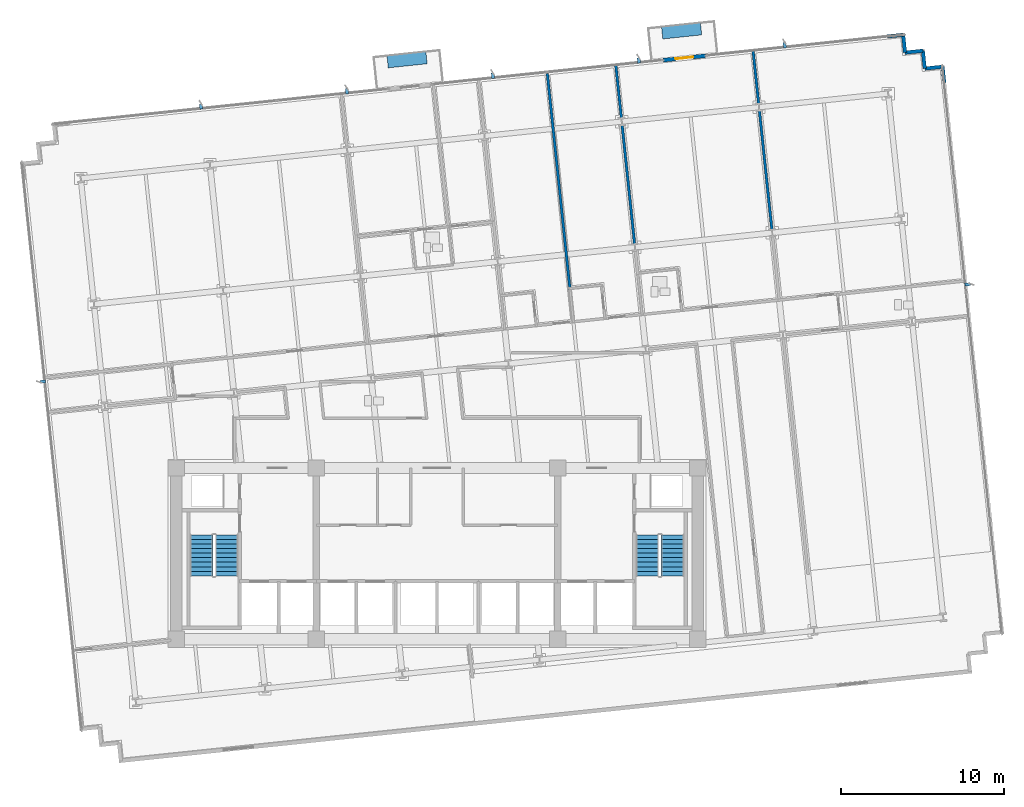
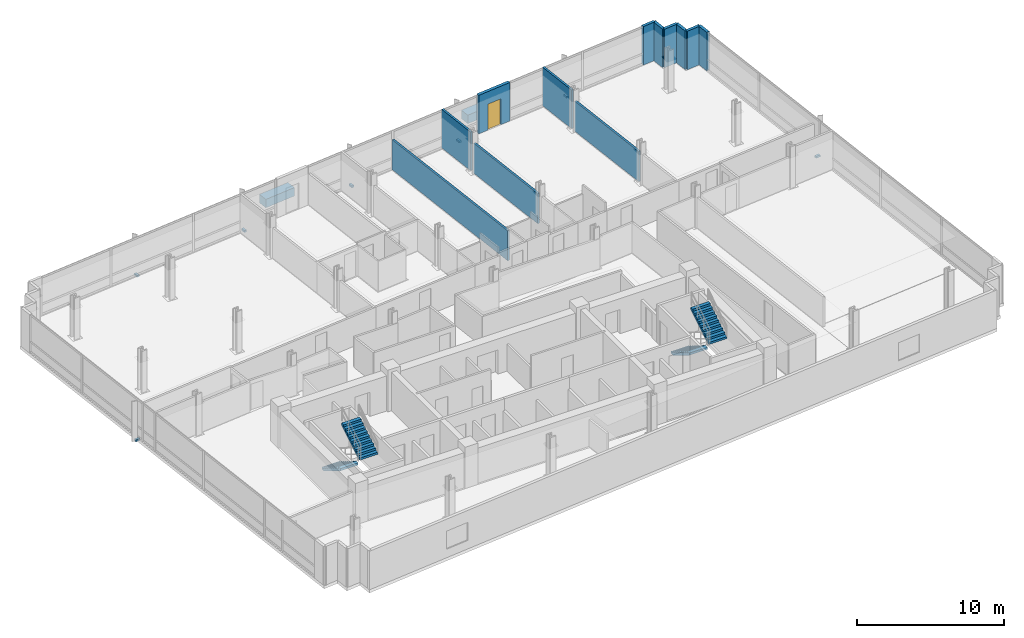
# One storey, part 13 of 17: 12 walls, 9 discrete accessories, 4 stair flights, 1 door, 1 opening, 2 elements without a shape of their own.
"""IFC4 building model written with IfcOpenShell, lengths in metres."""

import ifcopenshell
import ifcopenshell.guid

model = None  # the IFC model being written
_history = None  # IfcOwnerHistory: only IFC2X3 demands one
_inside = {}  # id of a spatial element -> (the spatial element, [elements in it])
_under = {}  # id of a project, library or spatial element -> (it, [spatial elements below it])
_declared = {}  # id of a project -> (the project, [libraries it declares])
_typed = {}  # id of a type object -> (the type object, [elements of that type])
_made_of = {}  # id of a material, layer set ... -> (it, [elements and type objects made of it])


def new_model(schema):
    """Start an empty IFC model of exactly this schema.

    Asked for "IFC4X3", IfcOpenShell would pick the latest addendum, in which some entities
    have other attributes; the version numbers below select the first issue.
    IFC2X3 requires an IfcOwnerHistory on every rooted entity: one is made here for all.
    """
    global model, _history
    if schema == "IFC4X3":
        model = ifcopenshell.file(schema_version=(4, 3, 0, 0))
    else:
        model = ifcopenshell.file(schema=schema)
    _inside.clear()
    _under.clear()
    _declared.clear()
    _typed.clear()
    _made_of.clear()
    _history = None
    if model.schema == "IFC2X3":
        org = make("IfcOrganization", Name="unknown")
        user = make(
            "IfcPersonAndOrganization",
            ThePerson=make("IfcPerson", FamilyName="unknown"),
            TheOrganization=org,
        )
        app = make(
            "IfcApplication",
            ApplicationDeveloper=org,
            Version="unknown",
            ApplicationFullName="unknown",
            ApplicationIdentifier="unknown",
        )
        _history = make(
            "IfcOwnerHistory",
            OwningUser=user,
            OwningApplication=app,
            ChangeAction="ADDED",
            CreationDate=0,
        )
    return model


def make(cls, **values):
    """One entity of the class cls with the attributes given. An attribute that is None is left unset."""
    return model.create_entity(
        cls, **{name: value for name, value in values.items() if value is not None}
    )


def rooted(cls, **values):
    """An entity with a GlobalId (a new one), such as an element, a storey or a relation."""
    return make(cls, GlobalId=ifcopenshell.guid.new(), OwnerHistory=_history, **values)


def si_unit(unit_type, name, prefix=None):
    """IfcSIUnit, for example si_unit("LENGTHUNIT", "METRE", prefix="MILLI")."""
    return make("IfcSIUnit", UnitType=unit_type, Prefix=prefix, Name=name)


def assignment(units):
    """IfcUnitAssignment: the units of a project."""
    return None if units is None else make("IfcUnitAssignment", Units=units)


def point(xyz):
    """IfcCartesianPoint."""
    return None if xyz is None else make("IfcCartesianPoint", Coordinates=xyz)


def direction(xyz):
    """IfcDirection."""
    return None if xyz is None else make("IfcDirection", DirectionRatios=xyz)


def frame(location, z_axis=None, x_axis=None):
    """IfcAxis2Placement3D, a coordinate frame: its origin and axes. An axis left out is left unset."""
    return make(
        "IfcAxis2Placement3D",
        Location=point(location),
        Axis=direction(z_axis),
        RefDirection=direction(x_axis),
    )


def frame_2d(location, x_axis=None):
    """IfcAxis2Placement2D, a coordinate frame in the plane: its origin and x axis."""
    return make(
        "IfcAxis2Placement2D", Location=point(location), RefDirection=direction(x_axis)
    )


def origin():
    """The frame at (0, 0, 0) with its axes left unset."""
    return frame((0.0, 0.0, 0.0))


def origin_2d():
    """The frame at (0, 0) in the plane with its x axis left unset."""
    return frame_2d((0.0, 0.0))


def place(relative_to, where):
    """IfcLocalPlacement: puts the frame where relative to a parent placement (None: the world)."""
    return make(
        "IfcLocalPlacement", PlacementRelTo=relative_to, RelativePlacement=where
    )


def context(
    kind, dimensions, precision=None, world=None, true_north=None, identifier=None
):
    """IfcGeometricRepresentationContext, for example the 3D "Model" context."""
    return make(
        "IfcGeometricRepresentationContext",
        ContextIdentifier=identifier,
        ContextType=kind,
        CoordinateSpaceDimension=dimensions,
        Precision=precision,
        WorldCoordinateSystem=world,
        TrueNorth=true_north,
    )


def subcontext(parent, identifier, kind, view, scale=None):
    """IfcGeometricRepresentationSubContext, for example "Body" below "Model"."""
    return make(
        "IfcGeometricRepresentationSubContext",
        ContextIdentifier=identifier,
        ContextType=kind,
        ParentContext=parent,
        TargetScale=scale,
        TargetView=view,
    )


def project(units=None, contexts=None):
    """IfcProject with its units and contexts."""
    return rooted(
        "IfcProject",
        Name="project",
        RepresentationContexts=contexts,
        UnitsInContext=assignment(units),
    )


def spatial(cls, under=None, at=None, **own):
    """A site, building, storey or space (cls), placed at a placement, below another one or the project."""
    s = rooted(cls, ObjectPlacement=at, **own)
    if under is not None:
        _under.setdefault(under.id(), (under, []))[1].append(s)
    return s


def polyline(points):
    """IfcPolyline through the points."""
    return make("IfcPolyline", Points=[point(p) for p in points])


def profile(cls, at=None, kind="AREA", **sizes):
    """A parametric profile (cls). Its sizes go by their IFC names, for example OverallWidth=200.0."""
    return make(cls, ProfileType=kind, Position=at, **sizes)


def rectangle(**sizes):
    """IfcRectangleProfileDef."""
    return profile("IfcRectangleProfileDef", **sizes)


def outline(outer, holes=None, kind="AREA"):
    """IfcArbitraryClosedProfileDef: a profile drawn as a closed curve; with holes, ...WithVoids."""
    if holes is None:
        return make("IfcArbitraryClosedProfileDef", ProfileType=kind, OuterCurve=outer)
    return make(
        "IfcArbitraryProfileDefWithVoids",
        ProfileType=kind,
        OuterCurve=outer,
        InnerCurves=holes,
    )


def extrude(swept, where, along, depth):
    """IfcExtrudedAreaSolid: the profile swept, set in the frame where, extruded along a direction by depth."""
    return make(
        "IfcExtrudedAreaSolid",
        SweptArea=swept,
        Position=where,
        ExtrudedDirection=direction(along),
        Depth=depth,
    )


def shape(context_of_items, identifier, shape_type, items):
    """IfcShapeRepresentation: the items that make up one representation, for example the "Body"."""
    return make(
        "IfcShapeRepresentation",
        ContextOfItems=context_of_items,
        RepresentationIdentifier=identifier,
        RepresentationType=shape_type,
        Items=items,
    )


def material(Name=None, Category=None):
    """IfcMaterial."""
    return make("IfcMaterial", Name=Name, Category=Category)


def layer(
    of_material, thickness, ventilated=None, Name=None, Category=None, Priority=None
):
    """IfcMaterialLayer: one layer of a wall or slab, of a material (None: an air gap)."""
    return make(
        "IfcMaterialLayer",
        Material=of_material,
        LayerThickness=thickness,
        IsVentilated=ventilated,
        Name=Name,
        Category=Category,
        Priority=Priority,
    )


def layer_set(layers, Name=None):
    """IfcMaterialLayerSet."""
    return make("IfcMaterialLayerSet", MaterialLayers=layers, LayerSetName=Name)


def made_of(thing, what):
    """Note that an element or type object is made of a material, layer set ...; save() writes the relation."""
    if what is not None:
        _made_of.setdefault(what.id(), (what, []))[1].append(thing)
    return thing


def type_object(cls, material=None, **own):
    """A type object (cls), such as IfcWallType, which elements share."""
    return made_of(rooted(cls, **own), material)


def element(
    cls,
    number,
    at=None,
    inside=None,
    cuts=None,
    type_object=None,
    material=None,
    context=None,
    identifier="Body",
    shape_type=None,
    held_by="IfcProductDefinitionShape",
    body=None,
    shapes=None,
    **own,
):
    """One element of the class cls, such as IfcWall. Its Tag is "e" and its number.

    at: its placement. inside: the storey or other place that contains it. cuts: it is an
    opening in that element (IfcRelVoidsElement). A single representation is given by context,
    identifier, shape_type and body (its items); several are given by shapes. held_by: the class
    of the entity that holds the representations. save() writes the other relations.
    """
    e = rooted(cls, Tag="e%d" % number, ObjectPlacement=at, **own)
    if body is not None:
        shapes = [shape(context, identifier, shape_type, body)]
    if shapes is not None:
        e.Representation = make(held_by, Representations=shapes)
    if inside is not None:
        _inside.setdefault(inside.id(), (inside, []))[1].append(e)
    if cuts is not None:
        rooted(
            "IfcRelVoidsElement", RelatingBuildingElement=cuts, RelatedOpeningElement=e
        )
    if type_object is not None:
        _typed.setdefault(type_object.id(), (type_object, []))[1].append(e)
    return made_of(e, material)


def fill(opening, filler):
    """IfcRelFillsElement: the door or window that sits in an opening."""
    return rooted(
        "IfcRelFillsElement",
        RelatingOpeningElement=opening,
        RelatedBuildingElement=filler,
    )


def aggregate(whole, parts):
    """IfcRelAggregates: a whole, such as a stair, and the parts it consists of."""
    return rooted("IfcRelAggregates", RelatingObject=whole, RelatedObjects=parts)


def save(model, path):
    """Write the relations noted so far, then the file.

    IfcRelAggregates (storeys below a building ...), IfcRelContainedInSpatialStructure (elements
    in a storey), IfcRelDefinesByType, IfcRelAssociatesMaterial and IfcRelDeclares: one each for
    every whole, place, type object, material and project.
    """
    for whole, parts in _under.values():
        aggregate(whole, parts)
    for where, things in _inside.values():
        rooted(
            "IfcRelContainedInSpatialStructure",
            RelatedElements=things,
            RelatingStructure=where,
        )
    for kind, things in _typed.values():
        rooted("IfcRelDefinesByType", RelatedObjects=things, RelatingType=kind)
    for what, things in _made_of.values():
        rooted("IfcRelAssociatesMaterial", RelatedObjects=things, RelatingMaterial=what)
    for by, libraries in _declared.values():
        rooted("IfcRelDeclares", RelatingContext=by, RelatedDefinitions=libraries)
    model.write(path)


model = new_model("IFC4")

# Units and contexts
model_context = context("Model", 3, precision=1e-05, world=origin(), true_north=direction((0.0, 1.0)))
body_context = subcontext(model_context, "Body", "Model", "MODEL_VIEW")
ifc_project = project(units=[si_unit("LENGTHUNIT", "METRE"), si_unit("AREAUNIT", "SQUARE_METRE"), si_unit("VOLUMEUNIT", "CUBIC_METRE"), si_unit("PLANEANGLEUNIT", "RADIAN"), si_unit("MASSUNIT", "GRAM", prefix="KILO")], contexts=[model_context])

# Site, building, storey
site_placement = place(None, origin())
site = spatial("IfcSite", under=ifc_project, at=site_placement, CompositionType="ELEMENT")
building_placement = place(site_placement, origin())
building = spatial("IfcBuilding", under=site, at=building_placement, Name="Solmavex Isthmus Hotel", CompositionType="ELEMENT")
storey_placement = place(building_placement, frame((0.0, 0.0, 93.89990234375)))
storey = spatial("IfcBuildingStorey", under=building, at=storey_placement, Name="L25", CompositionType="ELEMENT", Elevation=93.89990234375)

# Wall, opening, door
ifc_material_1 = material(Name="Precast Concrete C40/50", Category="concrete")
ifc_layer_1 = layer(ifc_material_1, 0.25)
ifc_layer_set_1 = layer_set([ifc_layer_1], Name="Precast Concrete C40/50")
wall_type_1 = type_object("IfcWallType", Name="EW-TWR-250", PredefinedType="STANDARD", material=ifc_layer_set_1)
wall_1_placement = place(storey_placement, frame((13.884765625, 22.513916015625, 0.0), z_axis=(0.0, 0.0, 1.0), x_axis=(0.994523446942, 0.104513699976, 0.0)))
wall_1 = element("IfcWall", 1, at=wall_1_placement, inside=storey, type_object=wall_type_1, Name="Exterior Balcony Door Wall L25-3", PredefinedType="STANDARD", context=body_context, shape_type="SweptSolid", body=[
    extrude(rectangle(XDim=2.599853515625, YDim=0.239990234375, at=frame_2d((1.2998046875, 0.0))), origin(), (0.0, 0.0, 1.0), 3.190185546875),
])
opening_placement = place(wall_1_placement, frame((0.75, 0.0, 0.0)))
opening = element("IfcOpeningElement", 2, at=opening_placement, cuts=wall_1, Name="Opening ED-02", PredefinedType="OPENING", context=body_context, shape_type="SweptSolid", body=[
    extrude(rectangle(XDim=1.10009765625, YDim=2.14990234375, at=frame_2d((0.550048828125, 1.074951171875))), frame((0.0, 0.1298828125, 0.0), z_axis=(0.0, -1.0, 0.0), x_axis=(1.0, 0.0, 0.0)), (0.0, 0.0, 1.0), 0.260009765625),
])
ifc_material_2 = material(Name="Aluminium alloy 6063-T6", Category="aluminium")
door_type = type_object("IfcDoorType", Name="EDR-BALC-1100", OperationType="NOTDEFINED", PredefinedType="DOOR", material=ifc_material_2)
door_placement = place(opening_placement, origin())
door = element("IfcDoor", 3, at=door_placement, inside=storey, type_object=door_type, Name="Balcony & Terrace Glazed Door L25-3", OperationType="SINGLE_SWING_LEFT", OverallHeight=2.14990234375, OverallWidth=1.10009765625, PredefinedType="DOOR", context=body_context, shape_type="SweptSolid", body=[
    extrude(rectangle(XDim=1.10009765625, YDim=2.14990234375, at=frame_2d((0.550048828125, 1.074951171875))), frame((0.0, 0.02490234375, 0.0), z_axis=(0.0, -1.0, 0.0), x_axis=(1.0, 0.0, 0.0)), (0.0, 0.0, 1.0), 0.050048828125),
])
fill(opening, door)

# Walls
wall_2_placement = place(storey_placement, frame((27.609130859375, 23.966552734375, 0.0), z_axis=(0.0, 0.0, 1.0), x_axis=(0.994516259927, 0.104582067016, 0.0)))
element("IfcWall", 4, at=wall_2_placement, inside=storey, type_object=wall_type_1, Name="Serrated Corner Facade Panel L25-14", PredefinedType="STANDARD", context=body_context, shape_type="SweptSolid", body=[
    extrude(rectangle(XDim=0.98974609375, YDim=0.219970703125, at=frame_2d((0.494873046875, 0.0))), origin(), (0.0, 0.0, 1.0), 3.190185546875),
])
for number, where, z_axis, x_axis, name in (
    (5, (28.593505859375, 24.070068359375, 0.0), (0.0, 0.0, 1.0), (0.104534592565, -0.994521251134, 0.0), "Serrated Corner Facade Panel L25-15"),
    (6, (28.70849609375, 22.97607421875, 0.0), (0.0, 0.0, 1.0), (0.994521251134, 0.104534592565, 0.0), "Serrated Corner Facade Panel L25-16"),
    (7, (29.802490234375, 23.091064453125, 0.0), (0.0, 0.0, 1.0), (0.104534592565, -0.994521251134, 0.0), "Serrated Corner Facade Panel L25-17"),
    (8, (29.91748046875, 21.9970703125, 0.0), (0.0, 0.0, 1.0), (0.994521251134, 0.104534592565, 0.0), "Serrated Corner Facade Panel L25-18"),
):
    element("IfcWall", number, at=place(storey_placement, frame(where, z_axis=z_axis, x_axis=x_axis)), inside=storey, type_object=wall_type_1, Name=name, PredefinedType="STANDARD", context=body_context, shape_type="SweptSolid", body=[
        extrude(rectangle(XDim=1.10009765625, YDim=0.219970703125, at=frame_2d((0.550048828125, 0.0))), origin(), (0.0, 0.0, 1.0), 3.190185546875),
    ])
wall_3_placement = place(storey_placement, frame((31.011474609375, 22.112060546875, 0.0), z_axis=(0.0, 0.0, 1.0), x_axis=(0.104556418955, -0.99451895671, 0.0)))
element("IfcWall", 9, at=wall_3_placement, inside=storey, type_object=wall_type_1, Name="Serrated Corner Facade Panel L25-19", PredefinedType="STANDARD", context=body_context, shape_type="SweptSolid", body=[
    extrude(rectangle(XDim=0.989990234375, YDim=0.219970703125, at=frame_2d((0.4951171875, 0.0))), origin(), (0.0, 0.0, 1.0), 3.190185546875),
])
ifc_material_3 = material(Name="Gypsum plasterboard lining", Category="gypsum")
ifc_layer_2 = layer(ifc_material_3, 0.159912109375)
ifc_layer_set_2 = layer_set([ifc_layer_2], Name="Gypsum plasterboard lining")
wall_type_2 = type_object("IfcWallType", Name="IW-COMP-160", PredefinedType="PARTITIONING", material=ifc_layer_set_2)
wall_4_placement = place(storey_placement, frame((6.766357421875, 21.685302734375, 0.0), z_axis=(0.0, 0.0, 1.0), x_axis=(0.104528448618, -0.994521896908, 0.0)))
element("IfcWall", 10, at=wall_4_placement, inside=storey, type_object=wall_type_2, Name="Interior Partition Wall W-L25-P052", PredefinedType="PARTITIONING", context=body_context, shape_type="SweptSolid", body=[
    extrude(rectangle(XDim=13.331787109375, YDim=0.159912109375, at=frame_2d((6.666015625, 0.0))), origin(), (0.0, 0.0, 1.0), 2.4794921875),
])
wall_5_placement = place(storey_placement, frame((10.963623046875, 22.2470703125, 0.0), z_axis=(0.0, 0.0, 1.0), x_axis=(0.10448334315, -0.994526636649, 0.0)))
element("IfcWall", 11, at=wall_5_placement, inside=storey, type_object=wall_type_2, Name="Interior Partition Wall W-L25-P056", PredefinedType="PARTITIONING", context=body_context, shape_type="SweptSolid", body=[
    extrude(rectangle(XDim=3.34375, YDim=0.159912109375, at=frame_2d((1.671875, 0.0))), origin(), (0.0, 0.0, 1.0), 3.190185546875),
])
wall_6_placement = place(storey_placement, frame((11.349853515625, 18.5712890625, 0.0), z_axis=(0.0, 0.0, 1.0), x_axis=(0.104523341075, -0.994522433719, 0.0)))
element("IfcWall", 12, at=wall_6_placement, inside=storey, type_object=wall_type_2, Name="Interior Partition Wall W-L25-P057", PredefinedType="PARTITIONING", context=body_context, shape_type="SweptSolid", body=[
    extrude(rectangle(XDim=7.399658203125, YDim=0.159912109375, at=frame_2d((3.69970703125, 0.0))), origin(), (0.0, 0.0, 1.0), 2.4794921875),
])
wall_7_placement = place(storey_placement, frame((19.383056640625, 23.132080078125, 0.0), z_axis=(0.0, 0.0, 1.0), x_axis=(0.10455555946, -0.99451904707, 0.0)))
element("IfcWall", 13, at=wall_7_placement, inside=storey, type_object=wall_type_2, Name="Interior Partition Wall W-L25-P062", PredefinedType="PARTITIONING", context=body_context, shape_type="SweptSolid", body=[
    extrude(rectangle(XDim=3.34375, YDim=0.159912109375, at=frame_2d((1.671875, 0.0))), origin(), (0.0, 0.0, 1.0), 3.190185546875),
])
wall_8_placement = place(storey_placement, frame((19.76953125, 19.456298828125, 0.0), z_axis=(0.0, 0.0, 1.0), x_axis=(0.104523341075, -0.994522433719, 0.0)))
element("IfcWall", 14, at=wall_8_placement, inside=storey, type_object=wall_type_2, Name="Interior Partition Wall W-L25-P063", PredefinedType="PARTITIONING", context=body_context, shape_type="SweptSolid", body=[
    extrude(rectangle(XDim=7.399658203125, YDim=0.159912109375, at=frame_2d((3.69970703125, 0.0))), origin(), (0.0, 0.0, 1.0), 2.4794921875),
])

# Stair, stair flights
ifc_material_4 = material(Name="Concrete C40/50", Category="concrete")
stair_type_1 = type_object("IfcStairType", Name="STR-ST-1", PredefinedType="HALF_TURN_STAIR", material=ifc_material_4)
stair_1_placement = place(storey_placement, origin())
stair_1 = element("IfcStair", 15, at=stair_1_placement, inside=storey, type_object=stair_type_1, Name="L25 Protected Exit Stair ST-1", PredefinedType="HALF_TURN_STAIR")
stair_flight_type_1 = type_object("IfcStairFlightType", Name="SFL-ST-1", PredefinedType="STRAIGHT", material=ifc_material_4)
stair_flight_1_placement = place(storey_placement, frame((-14.449951171875, -6.60009765625, 0.0), z_axis=(0.0, 0.0, 1.0), x_axis=(0.0, -1.0, 0.0)))
stair_flight_1 = element("IfcStairFlight", 16, at=stair_flight_1_placement, type_object=stair_flight_type_1, Name="ST-1 flight 1", NumberOfRisers=10, NumberOfTreads=9, PredefinedType="STRAIGHT", RiserHeight=0.1725, TreadLength=0.28, context=body_context, shape_type="SweptSolid", body=[
    extrude(outline(polyline([(0.0, 0.0), (0.0, 0.172607421875), (0.280029296875, 0.172607421875), (0.280029296875, 0.344970703125), (0.56005859375, 0.344970703125), (0.56005859375, 0.517578125), (0.840087890625, 0.517578125), (0.840087890625, 0.68994140625), (1.1201171875, 0.68994140625), (1.1201171875, 0.862548828125), (1.39990234375, 0.862548828125), (1.39990234375, 1.034912109375), (1.679931640625, 1.034912109375), (1.679931640625, 1.20751953125), (1.9599609375, 1.20751953125), (1.9599609375, 1.3798828125), (2.239990234375, 1.3798828125), (2.239990234375, 1.552490234375), (2.52001953125, 1.552490234375), (2.52001953125, 1.72509765625), (2.52001953125, 1.37646484375), (0.285888671875, 0.0), (0.0, 0.0)])), frame((0.0, 0.699951171875, 0.0), z_axis=(0.0, -1.0, 0.0), x_axis=(1.0, 0.0, 0.0)), (0.0, 0.0, 1.0), 1.39990234375),
])
stair_flight_2_placement = place(storey_placement, frame((-12.89990234375, -9.1201171875, 1.72509765625), z_axis=(0.0, 0.0, 1.0), x_axis=(0.0, 1.0, 0.0)))
stair_flight_2 = element("IfcStairFlight", 17, at=stair_flight_2_placement, type_object=stair_flight_type_1, Name="ST-1 flight 2", NumberOfRisers=10, NumberOfTreads=9, PredefinedType="STRAIGHT", RiserHeight=0.1725, TreadLength=0.28, context=body_context, shape_type="SweptSolid", body=[
    extrude(outline(polyline([(0.0, 0.0), (0.0, 0.172607421875), (0.280029296875, 0.172607421875), (0.280029296875, 0.344970703125), (0.56005859375, 0.344970703125), (0.56005859375, 0.517578125), (0.840087890625, 0.517578125), (0.840087890625, 0.68994140625), (1.1201171875, 0.68994140625), (1.1201171875, 0.862548828125), (1.39990234375, 0.862548828125), (1.39990234375, 1.034912109375), (1.679931640625, 1.034912109375), (1.679931640625, 1.20751953125), (1.9599609375, 1.20751953125), (1.9599609375, 1.3798828125), (2.239990234375, 1.3798828125), (2.239990234375, 1.552490234375), (2.52001953125, 1.552490234375), (2.52001953125, 1.72509765625), (2.52001953125, 1.37646484375), (0.285888671875, 0.0), (0.0, 0.0)])), frame((0.0, 0.699951171875, 0.0), z_axis=(0.0, -1.0, 0.0), x_axis=(1.0, 0.0, 0.0)), (0.0, 0.0, 1.0), 1.39990234375),
])
aggregate(stair_1, [stair_flight_1, stair_flight_2])

stair_type_2 = type_object("IfcStairType", Name="STR-ST-2", PredefinedType="HALF_TURN_STAIR", material=ifc_material_4)
stair_2_placement = place(storey_placement, origin())
stair_2 = element("IfcStair", 18, at=stair_2_placement, inside=storey, type_object=stair_type_2, Name="L25 Protected Exit Stair ST-2", PredefinedType="HALF_TURN_STAIR")
stair_flight_type_2 = type_object("IfcStairFlightType", Name="SFL-ST-2", PredefinedType="STRAIGHT", material=ifc_material_4)
stair_flight_3_placement = place(storey_placement, frame((12.89990234375, -6.60009765625, 0.0), z_axis=(0.0, 0.0, 1.0), x_axis=(0.0, -1.0, 0.0)))
stair_flight_3 = element("IfcStairFlight", 19, at=stair_flight_3_placement, type_object=stair_flight_type_2, Name="ST-2 flight 1", NumberOfRisers=10, NumberOfTreads=9, PredefinedType="STRAIGHT", RiserHeight=0.1725, TreadLength=0.28, context=body_context, shape_type="SweptSolid", body=[
    extrude(outline(polyline([(0.0, 0.0), (0.0, 0.172607421875), (0.280029296875, 0.172607421875), (0.280029296875, 0.344970703125), (0.56005859375, 0.344970703125), (0.56005859375, 0.517578125), (0.840087890625, 0.517578125), (0.840087890625, 0.68994140625), (1.1201171875, 0.68994140625), (1.1201171875, 0.862548828125), (1.39990234375, 0.862548828125), (1.39990234375, 1.034912109375), (1.679931640625, 1.034912109375), (1.679931640625, 1.20751953125), (1.9599609375, 1.20751953125), (1.9599609375, 1.3798828125), (2.239990234375, 1.3798828125), (2.239990234375, 1.552490234375), (2.52001953125, 1.552490234375), (2.52001953125, 1.72509765625), (2.52001953125, 1.37646484375), (0.285888671875, 0.0), (0.0, 0.0)])), frame((0.0, 0.699951171875, 0.0), z_axis=(0.0, -1.0, 0.0), x_axis=(1.0, 0.0, 0.0)), (0.0, 0.0, 1.0), 1.39990234375),
])
stair_flight_4_placement = place(storey_placement, frame((14.449951171875, -9.1201171875, 1.72509765625), z_axis=(0.0, 0.0, 1.0), x_axis=(0.0, 1.0, 0.0)))
stair_flight_4 = element("IfcStairFlight", 20, at=stair_flight_4_placement, type_object=stair_flight_type_2, Name="ST-2 flight 2", NumberOfRisers=10, NumberOfTreads=9, PredefinedType="STRAIGHT", RiserHeight=0.1725, TreadLength=0.28, context=body_context, shape_type="SweptSolid", body=[
    extrude(outline(polyline([(0.0, 0.0), (0.0, 0.172607421875), (0.280029296875, 0.172607421875), (0.280029296875, 0.344970703125), (0.56005859375, 0.344970703125), (0.56005859375, 0.517578125), (0.840087890625, 0.517578125), (0.840087890625, 0.68994140625), (1.1201171875, 0.68994140625), (1.1201171875, 0.862548828125), (1.39990234375, 0.862548828125), (1.39990234375, 1.034912109375), (1.679931640625, 1.034912109375), (1.679931640625, 1.20751953125), (1.9599609375, 1.20751953125), (1.9599609375, 1.3798828125), (2.239990234375, 1.3798828125), (2.239990234375, 1.552490234375), (2.52001953125, 1.552490234375), (2.52001953125, 1.72509765625), (2.52001953125, 1.37646484375), (0.285888671875, 0.0), (0.0, 0.0)])), frame((0.0, 0.699951171875, 0.0), z_axis=(0.0, -1.0, 0.0), x_axis=(1.0, 0.0, 0.0)), (0.0, 0.0, 1.0), 1.39990234375),
])
aggregate(stair_2, [stair_flight_3, stair_flight_4])

# Discrete accessories
ifc_material_5 = material(Name="Steel ASTM A572 Grade 50", Category="steel")
discrete_accessory_type_1 = type_object("IfcDiscreteAccessoryType", Name="ACC-BRK-FIN", PredefinedType="BRACKET", material=ifc_material_5)
for number, where, z_axis, x_axis, name in (
    (21, (-14.472900390625, 19.67431640625, -0.169921875), (0.0, 0.0, 1.0), (-0.104528463268, 0.994521895368, 0.0), "Facade Fin Support Bracket L25-N1"),
    (22, (-5.522216796875, 20.614990234375, -0.169921875), (0.0, 0.0, 1.0), (-0.104528463268, 0.994521895368, 0.0), "Facade Fin Support Bracket L25-N2"),
    (23, (3.428466796875, 21.5556640625, -0.169921875), (0.0, 0.0, 1.0), (-0.104528463268, 0.994521895368, 0.0), "Facade Fin Support Bracket L25-N3"),
    (24, (12.379150390625, 22.49658203125, -0.169921875), (0.0, 0.0, 1.0), (-0.104528463268, 0.994521895368, 0.0), "Facade Fin Support Bracket L25-N4"),
    (25, (21.329833984375, 23.437255859375, -0.169921875), (0.0, 0.0, 1.0), (-0.104528463268, 0.994521895368, 0.0), "Facade Fin Support Bracket L25-N5"),
    (26, (-24.181884765625, 2.796875, -0.169921875), (0.0, 0.0, 1.0), (-0.994521895368, -0.104528463268, 0.0), "Facade Fin Support Bracket L25-W1"),
    (27, (32.545654296875, 8.75927734375, -0.169921875), (0.0, 0.0, 1.0), (0.994521895368, 0.104528463268, 0.0), "Facade Fin Support Bracket L25-E1"),
):
    element("IfcDiscreteAccessory", number, at=place(storey_placement, frame(where, z_axis=z_axis, x_axis=x_axis)), inside=storey, type_object=discrete_accessory_type_1, Name=name, PredefinedType="BRACKET", context=body_context, shape_type="SweptSolid", body=[
        extrude(rectangle(XDim=0.340087890625, YDim=0.179931640625, at=origin_2d()), origin(), (0.0, 0.0, 1.0), 0.159912109375),
    ])
discrete_accessory_type_2 = type_object("IfcDiscreteAccessoryType", Name="ACC-PLN-BALC", PredefinedType="USERDEFINED", material=ifc_material_1)
for number, where, z_axis, x_axis, name in (
    (28, (-1.836181640625, 22.540771484375, 0.0), (0.0, 0.0, 1.0), (0.994521895368, 0.104528463268, 0.0), "Tree-Balcony Architectural Planter L25-B1"),
    (29, (15.0029296875, 24.310791015625, 0.0), (0.0, 0.0, 1.0), (0.994521895368, 0.104528463268, 0.0), "Tree-Balcony Architectural Planter L25-B2"),
):
    element("IfcDiscreteAccessory", number, at=place(storey_placement, frame(where, z_axis=z_axis, x_axis=x_axis)), inside=storey, type_object=discrete_accessory_type_2, Name=name, ObjectType="PLANTER", PredefinedType="USERDEFINED", context=body_context, shape_type="SweptSolid", body=[
        extrude(rectangle(XDim=2.39990234375, YDim=0.75, at=origin_2d()), origin(), (0.0, 0.0, 1.0), 0.699951171875),
    ])

save(model, "model.ifc")
